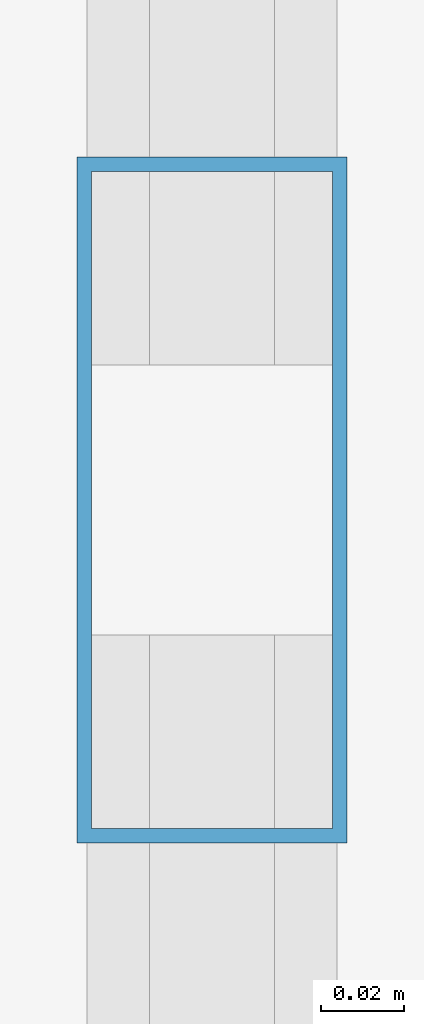
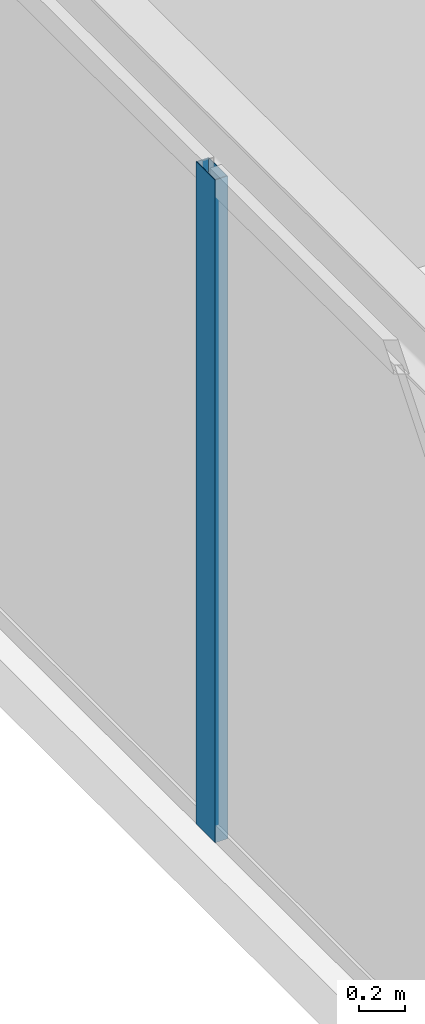
# One storey, part 9 of 23: 1 member, 1 element without a shape of its own.
"""IFC4 building model written with IfcOpenShell, lengths in metres."""

from ifc_helpers import new_model, si_unit, direction, frame, origin, origin_2d, place, context, subcontext, project, spatial, hollow_rectangle, extrude, source, transform, mapped, material, layer, layer_set, material_profile, profile_set, type_object, type_shapes, element, aggregate, save


model = new_model("IFC4")

# Units and contexts
model_context = context("Model", 3, precision=1e-05, world=origin(), true_north=direction((0.0, 1.0)))
body_context = subcontext(model_context, "Body", "Model", "MODEL_VIEW")
ifc_project = project(units=[si_unit("LENGTHUNIT", "METRE"), si_unit("AREAUNIT", "SQUARE_METRE"), si_unit("VOLUMEUNIT", "CUBIC_METRE"), si_unit("PLANEANGLEUNIT", "RADIAN"), si_unit("MASSUNIT", "GRAM", prefix="KILO")], contexts=[model_context])

# Site, building, storey
site_placement = place(None, origin())
site = spatial("IfcSite", under=ifc_project, at=site_placement, CompositionType="ELEMENT")
building_placement = place(site_placement, origin())
building = spatial("IfcBuilding", under=site, at=building_placement, Name="Varnel Quay Broadcast Tower", CompositionType="ELEMENT")
storey_placement = place(building_placement, frame((0.0, 0.0, 266.0)))
storey = spatial("IfcBuildingStorey", under=building, at=storey_placement, Name="L66", CompositionType="ELEMENT", Elevation=266.0)

# Curtain wall, member
ifc_material = material(Name="Anodised Bronze Aluminium 6063-T6", Category="aluminium")
ifc_layer = layer(ifc_material, 0.18994140625, Name="Anodised Bronze Aluminium 6063-T6")
ifc_layer_set = layer_set([ifc_layer], Name="Anodised Bronze Aluminium 6063-T6")
curtain_wall_type = type_object("IfcCurtainWallType", Name="CW_UpperTower", PredefinedType="NOTDEFINED", material=ifc_layer_set)
curtain_wall_placement = place(storey_placement, origin())
curtain_wall = element("IfcCurtainWall", 1, at=curtain_wall_placement, inside=storey, type_object=curtain_wall_type, Name="L66 West Unitised Curtain Wall", PredefinedType="NOTDEFINED")
ifc_material_profile = material_profile(ifc_material, hollow_rectangle(XDim=0.06494140625, YDim=0.1650390625, WallThickness=0.00341796875, at=origin_2d()), Name="ALU65X165X3.5")
ifc_profile_set = profile_set([ifc_material_profile], Name="Anodised Bronze Aluminium 6063-T6")
member_type = type_object("IfcMemberType", Name="Mull_CWS-03", PredefinedType="MULLION", material=ifc_profile_set)
shared_shape = source(origin(), body_context, "Body", "SweptSolid", [
    extrude(hollow_rectangle(XDim=0.06494140625, YDim=0.1650390625, WallThickness=0.00341796875, at=origin_2d()), origin(), (0.0, 0.0, 1.0), 3.550048828125),
])
type_shapes(member_type, [shared_shape])
member_placement = place(storey_placement, frame((12.14990234375, 30.0, 0.0), z_axis=(0.0, 0.0, 1.0), x_axis=(-1.0, 0.0, 0.0)))
member = element("IfcMember", 2, at=member_placement, type_object=member_type, Name="CWS-03 mullion 2", PredefinedType="MULLION", context=body_context, shape_type="MappedRepresentation", body=[
    mapped(shared_shape, transform((0.0, 0.0, 0.0), x_axis=(1.0, 0.0, 0.0), y_axis=(0.0, 1.0, 0.0), z_axis=(0.0, 0.0, 1.0), scale=1.0)),
])
aggregate(curtain_wall, [member])

save(model, "model.ifc")
